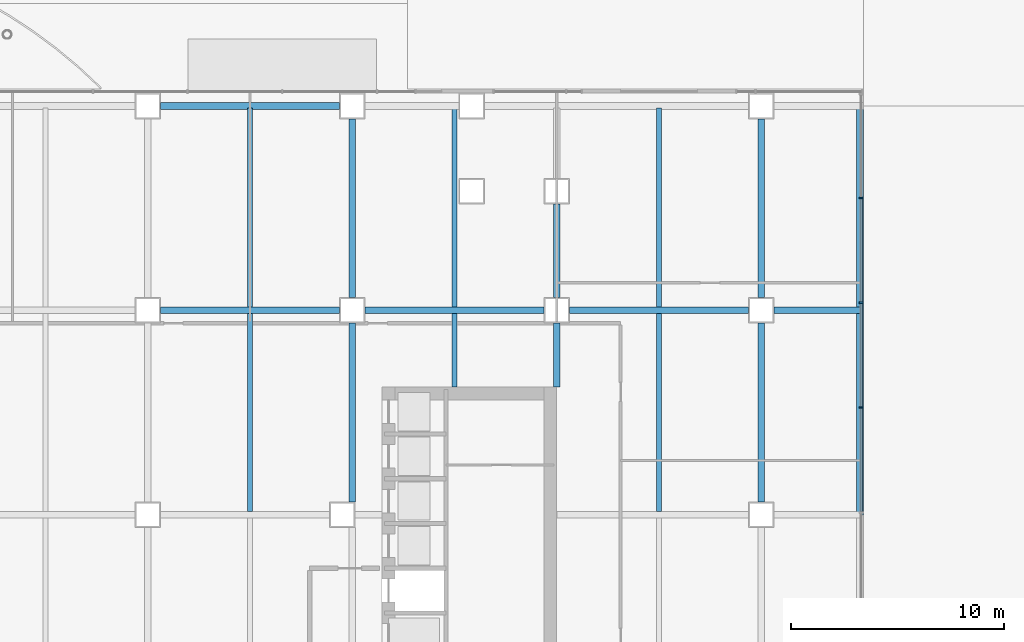
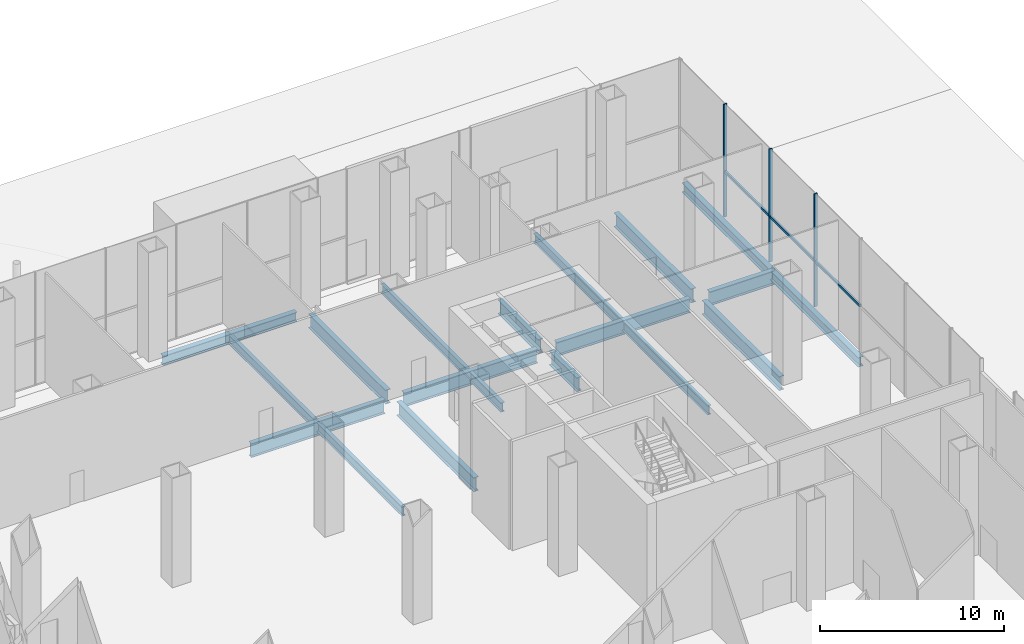
# One storey, part 17 of 36: 19 beams, 6 members, 1 element without a shape of its own.
"""IFC4 building model written with IfcOpenShell, lengths in metres."""

from ifc_helpers import new_model, si_unit, direction, frame, origin, origin_2d, place, context, subcontext, project, spatial, rectangle, i_section, extrude, material, material_profile, profile_set, type_object, element, aggregate, save


model = new_model("IFC4")

# Units and contexts
model_context = context("Model", 3, precision=1e-05, world=origin(), true_north=direction((0.0, 1.0)))
body_context = subcontext(model_context, "Body", "Model", "MODEL_VIEW")
ifc_project = project(units=[si_unit("LENGTHUNIT", "METRE"), si_unit("AREAUNIT", "SQUARE_METRE"), si_unit("VOLUMEUNIT", "CUBIC_METRE"), si_unit("PLANEANGLEUNIT", "RADIAN"), si_unit("MASSUNIT", "GRAM", prefix="KILO")], contexts=[model_context])

# Site, building, storey
site_placement = place(None, origin())
site = spatial("IfcSite", under=ifc_project, at=site_placement, CompositionType="ELEMENT")
building_placement = place(site_placement, origin())
building = spatial("IfcBuilding", under=site, at=building_placement, Name="Cobrizo Arcos Hotel Tower", CompositionType="ELEMENT")
storey_placement = place(building_placement, origin())
storey = spatial("IfcBuildingStorey", under=building, at=storey_placement, Name="L00", CompositionType="ELEMENT", Elevation=0.0)

# Curtain wall, members
ifc_material_1 = material(Name="Aluminium 6063-T6 anodised bronze", Category="aluminium")
curtain_wall_type = type_object("IfcCurtainWallType", Name="CW-B podium glazing", PredefinedType="NOTDEFINED", material=ifc_material_1)
curtain_wall_placement = place(storey_placement, origin())
curtain_wall = element("IfcCurtainWall", 1, at=curtain_wall_placement, inside=storey, type_object=curtain_wall_type, Name="CW-B L00 E face", PredefinedType="NOTDEFINED")
ifc_material_profile_1 = material_profile(ifc_material_1, rectangle(XDim=0.199951171875, YDim=0.080078125, at=origin_2d()), Name="CW-B mullion 200x80")
ifc_profile_set_1 = profile_set([ifc_material_profile_1], Name="Aluminium 6063-T6 anodised bronze")
member_type_1 = type_object("IfcMemberType", Name="CW-B mullion 200x80", PredefinedType="MULLION", material=ifc_profile_set_1)
member_1_placement = place(storey_placement, frame((38.300048828125, 9.840087890625, 0.0), z_axis=(0.0, 0.0, 1.0), x_axis=(1.0, 0.0, 0.0)))
member_1 = element("IfcMember", 2, at=member_1_placement, type_object=member_type_1, Name="CW-B mullion 5", PredefinedType="MULLION", context=body_context, shape_type="SweptSolid", body=[
    extrude(rectangle(XDim=0.199951171875, YDim=0.080078125, at=origin_2d()), origin(), (0.0, 0.0, 1.0), 7.5),
])
member_2_placement = place(storey_placement, frame((38.300048828125, 14.760009765625, 0.0), z_axis=(0.0, 0.0, 1.0), x_axis=(1.0, 0.0, 0.0)))
member_2 = element("IfcMember", 3, at=member_2_placement, type_object=member_type_1, Name="CW-B mullion 6", PredefinedType="MULLION", context=body_context, shape_type="SweptSolid", body=[
    extrude(rectangle(XDim=0.199951171875, YDim=0.080078125, at=origin_2d()), origin(), (0.0, 0.0, 1.0), 7.5),
])
member_3_placement = place(storey_placement, frame((38.300048828125, 19.679931640625, 0.0), z_axis=(0.0, 0.0, 1.0), x_axis=(1.0, 0.0, 0.0)))
member_3 = element("IfcMember", 4, at=member_3_placement, type_object=member_type_1, Name="CW-B mullion 7", PredefinedType="MULLION", context=body_context, shape_type="SweptSolid", body=[
    extrude(rectangle(XDim=0.199951171875, YDim=0.080078125, at=origin_2d()), origin(), (0.0, 0.0, 1.0), 7.5),
])
ifc_material_profile_2 = material_profile(ifc_material_1, rectangle(XDim=0.1201171875, YDim=0.159912109375, at=origin_2d()), Name="CW-B transom 160x120")
ifc_profile_set_2 = profile_set([ifc_material_profile_2], Name="Aluminium 6063-T6 anodised bronze")
member_type_2 = type_object("IfcMemberType", Name="CW-B transom 160x120", PredefinedType="USERDEFINED", material=ifc_profile_set_2)
member_4_placement = place(storey_placement, frame((38.300048828125, 4.9599609375, 3.0), z_axis=(0.0, 1.0, 0.0), x_axis=(-1.0, 0.0, 0.0)))
member_4 = element("IfcMember", 5, at=member_4_placement, type_object=member_type_2, Name="CW-B transom 7", ObjectType="TRANSOM", PredefinedType="USERDEFINED", context=body_context, shape_type="SweptSolid", body=[
    extrude(rectangle(XDim=0.1201171875, YDim=0.159912109375, at=origin_2d()), origin(), (0.0, 0.0, 1.0), 4.840087890625),
])
member_5_placement = place(storey_placement, frame((38.300048828125, 9.8798828125, 3.0), z_axis=(0.0, 1.0, 0.0), x_axis=(-1.0, 0.0, 0.0)))
member_5 = element("IfcMember", 6, at=member_5_placement, type_object=member_type_2, Name="CW-B transom 8", ObjectType="TRANSOM", PredefinedType="USERDEFINED", context=body_context, shape_type="SweptSolid", body=[
    extrude(rectangle(XDim=0.1201171875, YDim=0.159912109375, at=origin_2d()), origin(), (0.0, 0.0, 1.0), 4.840087890625),
])
member_6_placement = place(storey_placement, frame((38.300048828125, 14.800048828125, 3.0), z_axis=(0.0, 1.0, 0.0), x_axis=(-1.0, 0.0, 0.0)))
member_6 = element("IfcMember", 7, at=member_6_placement, type_object=member_type_2, Name="CW-B transom 9", ObjectType="TRANSOM", PredefinedType="USERDEFINED", context=body_context, shape_type="SweptSolid", body=[
    extrude(rectangle(XDim=0.1201171875, YDim=0.159912109375, at=origin_2d()), origin(), (0.0, 0.0, 1.0), 4.83984375),
])
aggregate(curtain_wall, [member_1, member_2, member_3, member_4, member_5, member_6])

# Beams
ifc_material_2 = material(Name="Steel ASTM A992 Grade 50", Category="steel")
ifc_material_profile_3 = material_profile(ifc_material_2, i_section(OverallWidth=0.32763671875, OverallDepth=0.622314453125, WebThickness=0.015380859375, FlangeThickness=0.0244140625, at=origin_2d()), Name="W24X131")
ifc_profile_set_3 = profile_set([ifc_material_profile_3], Name="Steel ASTM A992 Grade 50")
beam_type_1 = type_object("IfcBeamType", Name="W24X131 edge beam", PredefinedType="BEAM", material=ifc_profile_set_3)
beam_1_placement = place(storey_placement, frame((38.236083984375, 4.800048828125, -0.611083984375), z_axis=(0.0, 1.0, 0.0), x_axis=(-1.0, 0.0, 0.0)))
element("IfcBeam", 8, at=beam_1_placement, inside=storey, type_object=beam_type_1, Name="Edge beam EB1, L00, no. 004", PredefinedType="BEAM", context=body_context, shape_type="SweptSolid", body=[
    extrude(i_section(OverallWidth=0.32763671875, OverallDepth=0.622314453125, WebThickness=0.015380859375, FlangeThickness=0.0244140625, at=origin_2d()), origin(), (0.0, 0.0, 1.0), 9.599853515625),
])
beam_2_placement = place(storey_placement, frame((38.236083984375, 14.39990234375, -0.611083984375), z_axis=(0.0, 1.0, 0.0), x_axis=(-1.0, 0.0, 0.0)))
element("IfcBeam", 9, at=beam_2_placement, inside=storey, type_object=beam_type_1, Name="Edge beam EB1, L00, no. 005", PredefinedType="BEAM", context=body_context, shape_type="SweptSolid", body=[
    extrude(i_section(OverallWidth=0.32763671875, OverallDepth=0.622314453125, WebThickness=0.015380859375, FlangeThickness=0.0244140625, at=origin_2d()), origin(), (0.0, 0.0, 1.0), 9.60009765625),
])
ifc_material_profile_4 = material_profile(ifc_material_2, i_section(OverallWidth=0.32763671875, OverallDepth=0.622314453125, WebThickness=0.015380859375, FlangeThickness=0.0244140625, at=origin_2d()), Name="W24X131")
ifc_profile_set_4 = profile_set([ifc_material_profile_4], Name="Steel ASTM A992 Grade 50")
beam_type_2 = type_object("IfcBeamType", Name="W24X131 spandrel", PredefinedType="SPANDREL", material=ifc_profile_set_4)
beam_3_placement = place(storey_placement, frame((13.800048828125, 24.0, -0.611083984375), z_axis=(-1.0, 0.0, 0.0), x_axis=(0.0, -1.0, 0.0)))
element("IfcBeam", 10, at=beam_3_placement, inside=storey, type_object=beam_type_2, Name="Spandrel beam W24X131, L00, no. 003", PredefinedType="SPANDREL", context=body_context, shape_type="SweptSolid", body=[
    extrude(i_section(OverallWidth=0.32763671875, OverallDepth=0.622314453125, WebThickness=0.015380859375, FlangeThickness=0.0244140625, at=origin_2d()), origin(), (0.0, 0.0, 1.0), 8.400146484375),
])
ifc_material_profile_5 = material_profile(ifc_material_2, i_section(OverallWidth=0.23046875, OverallDepth=0.6171875, WebThickness=0.01318359375, FlangeThickness=0.022216796875, at=origin_2d()), Name="W24X94")
ifc_profile_set_5 = profile_set([ifc_material_profile_5], Name="Steel ASTM A992 Grade 50")
beam_type_3 = type_object("IfcBeamType", Name="W24X94 podium joist", PredefinedType="JOIST", material=ifc_profile_set_5)
beam_4_placement = place(storey_placement, frame((9.60009765625, 4.95361328125, -0.608642578125), z_axis=(0.0, 1.0, 0.0), x_axis=(-1.0, 0.0, 0.0)))
element("IfcBeam", 11, at=beam_4_placement, inside=storey, type_object=beam_type_3, Name="Podium joist PJ1, L00, no. 023", PredefinedType="JOIST", context=body_context, shape_type="SweptSolid", body=[
    extrude(i_section(OverallWidth=0.23046875, OverallDepth=0.6171875, WebThickness=0.01318359375, FlangeThickness=0.022216796875, at=origin_2d()), origin(), (0.0, 0.0, 1.0), 9.292724609375),
])
beam_5_placement = place(storey_placement, frame((9.60009765625, 14.5537109375, -0.608642578125), z_axis=(0.0, 1.0, 0.0), x_axis=(-1.0, 0.0, 0.0)))
element("IfcBeam", 12, at=beam_5_placement, inside=storey, type_object=beam_type_3, Name="Podium joist PJ1, L00, no. 024", PredefinedType="JOIST", context=body_context, shape_type="SweptSolid", body=[
    extrude(i_section(OverallWidth=0.23046875, OverallDepth=0.6171875, WebThickness=0.01318359375, FlangeThickness=0.022216796875, at=origin_2d()), origin(), (0.0, 0.0, 1.0), 9.356201171875),
])
beam_6_placement = place(storey_placement, frame((19.199951171875, 10.81005859375, -0.608642578125), z_axis=(0.0, 1.0, 0.0), x_axis=(-1.0, 0.0, 0.0)))
element("IfcBeam", 13, at=beam_6_placement, inside=storey, type_object=beam_type_3, Name="Podium joist PJ1, L00, no. 027", PredefinedType="JOIST", context=body_context, shape_type="SweptSolid", body=[
    extrude(i_section(OverallWidth=0.23046875, OverallDepth=0.6171875, WebThickness=0.01318359375, FlangeThickness=0.022216796875, at=origin_2d()), origin(), (0.0, 0.0, 1.0), 3.436279296875),
])
beam_7_placement = place(storey_placement, frame((19.199951171875, 14.5537109375, -0.608642578125), z_axis=(0.0, 1.0, 0.0), x_axis=(-1.0, 0.0, 0.0)))
element("IfcBeam", 14, at=beam_7_placement, inside=storey, type_object=beam_type_3, Name="Podium joist PJ1, L00, no. 028", PredefinedType="JOIST", context=body_context, shape_type="SweptSolid", body=[
    extrude(i_section(OverallWidth=0.23046875, OverallDepth=0.6171875, WebThickness=0.01318359375, FlangeThickness=0.022216796875, at=origin_2d()), origin(), (0.0, 0.0, 1.0), 9.356201171875),
])
beam_8_placement = place(storey_placement, frame((28.800048828125, 4.95361328125, -0.608642578125), z_axis=(0.0, 1.0, 0.0), x_axis=(-1.0, 0.0, 0.0)))
element("IfcBeam", 15, at=beam_8_placement, inside=storey, type_object=beam_type_3, Name="Podium joist PJ1, L00, no. 032", PredefinedType="JOIST", context=body_context, shape_type="SweptSolid", body=[
    extrude(i_section(OverallWidth=0.23046875, OverallDepth=0.6171875, WebThickness=0.01318359375, FlangeThickness=0.022216796875, at=origin_2d()), origin(), (0.0, 0.0, 1.0), 9.292724609375),
])
beam_9_placement = place(storey_placement, frame((28.800048828125, 14.5537109375, -0.608642578125), z_axis=(0.0, 1.0, 0.0), x_axis=(-1.0, 0.0, 0.0)))
element("IfcBeam", 16, at=beam_9_placement, inside=storey, type_object=beam_type_3, Name="Podium joist PJ1, L00, no. 033", PredefinedType="JOIST", context=body_context, shape_type="SweptSolid", body=[
    extrude(i_section(OverallWidth=0.23046875, OverallDepth=0.6171875, WebThickness=0.01318359375, FlangeThickness=0.022216796875, at=origin_2d()), origin(), (0.0, 0.0, 1.0), 9.356201171875),
])
ifc_material_profile_6 = material_profile(ifc_material_2, i_section(OverallWidth=0.307373046875, OverallDepth=0.927001953125, WebThickness=0.01953125, FlangeThickness=0.031982421875, at=origin_2d()), Name="W36X194")
ifc_profile_set_6 = profile_set([ifc_material_profile_6], Name="Steel ASTM A992 Grade 50")
beam_type_4 = type_object("IfcBeamType", Name="W36X194 podium girder", PredefinedType="BEAM", material=ifc_profile_set_6)
beam_10_placement = place(storey_placement, frame((5.39990234375, 14.39990234375, -0.763427734375), z_axis=(1.0, 0.0, 0.0), x_axis=(0.0, 1.0, 0.0)))
element("IfcBeam", 17, at=beam_10_placement, inside=storey, type_object=beam_type_4, Name="Podium girder PG1, L00, no. 031", PredefinedType="BEAM", context=body_context, shape_type="SweptSolid", body=[
    extrude(i_section(OverallWidth=0.307373046875, OverallDepth=0.927001953125, WebThickness=0.01953125, FlangeThickness=0.031982421875, at=origin_2d()), origin(), (0.0, 0.0, 1.0), 8.400146484375),
])
for number, where, z_axis, x_axis, name in (
    (18, (15.0, 14.39990234375, -0.763427734375), (1.0, 0.0, 0.0), (0.0, 1.0, 0.0), "Podium girder PG1, L00, no. 032"),
    (19, (24.60009765625, 14.39990234375, -0.763427734375), (1.0, 0.0, 0.0), (0.0, 1.0, 0.0), "Podium girder PG1, L00, no. 033"),
):
    element("IfcBeam", number, at=place(storey_placement, frame(where, z_axis=z_axis, x_axis=x_axis)), inside=storey, type_object=beam_type_4, Name=name, PredefinedType="BEAM", context=body_context, shape_type="SweptSolid", body=[
        extrude(i_section(OverallWidth=0.307373046875, OverallDepth=0.927001953125, WebThickness=0.01953125, FlangeThickness=0.031982421875, at=origin_2d()), origin(), (0.0, 0.0, 1.0), 8.39990234375),
    ])
beam_11_placement = place(storey_placement, frame((34.199951171875, 14.39990234375, -0.763427734375), z_axis=(1.0, 0.0, 0.0), x_axis=(0.0, 1.0, 0.0)))
element("IfcBeam", 20, at=beam_11_placement, inside=storey, type_object=beam_type_4, Name="Podium girder PG1, L00, no. 034", PredefinedType="BEAM", context=body_context, shape_type="SweptSolid", body=[
    extrude(i_section(OverallWidth=0.307373046875, OverallDepth=0.927001953125, WebThickness=0.01953125, FlangeThickness=0.031982421875, at=origin_2d()), origin(), (0.0, 0.0, 1.0), 4.110107421875),
])
beam_12_placement = place(storey_placement, frame((14.39990234375, 5.39990234375, -0.763427734375), z_axis=(0.0, 1.0, 0.0), x_axis=(-1.0, 0.0, 0.0)))
element("IfcBeam", 21, at=beam_12_placement, inside=storey, type_object=beam_type_4, Name="Podium girder PG1, L00, no. 064", PredefinedType="BEAM", context=body_context, shape_type="SweptSolid", body=[
    extrude(i_section(OverallWidth=0.307373046875, OverallDepth=0.927001953125, WebThickness=0.01953125, FlangeThickness=0.031982421875, at=origin_2d()), origin(), (0.0, 0.0, 1.0), 8.400146484375),
])
beam_13_placement = place(storey_placement, frame((14.39990234375, 15.0, -0.763427734375), z_axis=(0.0, 1.0, 0.0), x_axis=(-1.0, 0.0, 0.0)))
element("IfcBeam", 22, at=beam_13_placement, inside=storey, type_object=beam_type_4, Name="Podium girder PG1, L00, no. 065", PredefinedType="BEAM", context=body_context, shape_type="SweptSolid", body=[
    extrude(i_section(OverallWidth=0.307373046875, OverallDepth=0.927001953125, WebThickness=0.01953125, FlangeThickness=0.031982421875, at=origin_2d()), origin(), (0.0, 0.0, 1.0), 8.39990234375),
])
beam_14_placement = place(storey_placement, frame((24.0, 10.81005859375, -0.763427734375), z_axis=(0.0, 1.0, 0.0), x_axis=(-1.0, 0.0, 0.0)))
element("IfcBeam", 23, at=beam_14_placement, inside=storey, type_object=beam_type_4, Name="Podium girder PG1, L00, no. 069", PredefinedType="BEAM", context=body_context, shape_type="SweptSolid", body=[
    extrude(i_section(OverallWidth=0.307373046875, OverallDepth=0.927001953125, WebThickness=0.01953125, FlangeThickness=0.031982421875, at=origin_2d()), origin(), (0.0, 0.0, 1.0), 2.989990234375),
])
beam_15_placement = place(storey_placement, frame((24.0, 15.0, -0.763427734375), z_axis=(0.0, 1.0, 0.0), x_axis=(-1.0, 0.0, 0.0)))
element("IfcBeam", 24, at=beam_15_placement, inside=storey, type_object=beam_type_4, Name="Podium girder PG1, L00, no. 070", PredefinedType="BEAM", context=body_context, shape_type="SweptSolid", body=[
    extrude(i_section(OverallWidth=0.307373046875, OverallDepth=0.927001953125, WebThickness=0.01953125, FlangeThickness=0.031982421875, at=origin_2d()), origin(), (0.0, 0.0, 1.0), 4.39990234375),
])
beam_16_placement = place(storey_placement, frame((33.60009765625, 5.39990234375, -0.763427734375), z_axis=(0.0, 1.0, 0.0), x_axis=(-1.0, 0.0, 0.0)))
element("IfcBeam", 25, at=beam_16_placement, inside=storey, type_object=beam_type_4, Name="Podium girder PG1, L00, no. 075", PredefinedType="BEAM", context=body_context, shape_type="SweptSolid", body=[
    extrude(i_section(OverallWidth=0.307373046875, OverallDepth=0.927001953125, WebThickness=0.01953125, FlangeThickness=0.031982421875, at=origin_2d()), origin(), (0.0, 0.0, 1.0), 8.400146484375),
])
beam_17_placement = place(storey_placement, frame((33.60009765625, 15.0, -0.763427734375), z_axis=(0.0, 1.0, 0.0), x_axis=(-1.0, 0.0, 0.0)))
element("IfcBeam", 26, at=beam_17_placement, inside=storey, type_object=beam_type_4, Name="Podium girder PG1, L00, no. 076", PredefinedType="BEAM", context=body_context, shape_type="SweptSolid", body=[
    extrude(i_section(OverallWidth=0.307373046875, OverallDepth=0.927001953125, WebThickness=0.01953125, FlangeThickness=0.031982421875, at=origin_2d()), origin(), (0.0, 0.0, 1.0), 8.39990234375),
])

save(model, "model.ifc")
